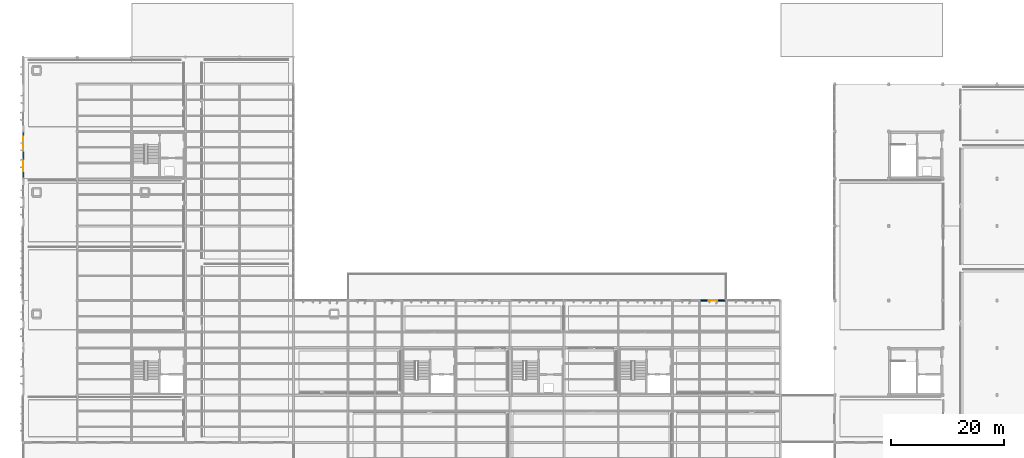
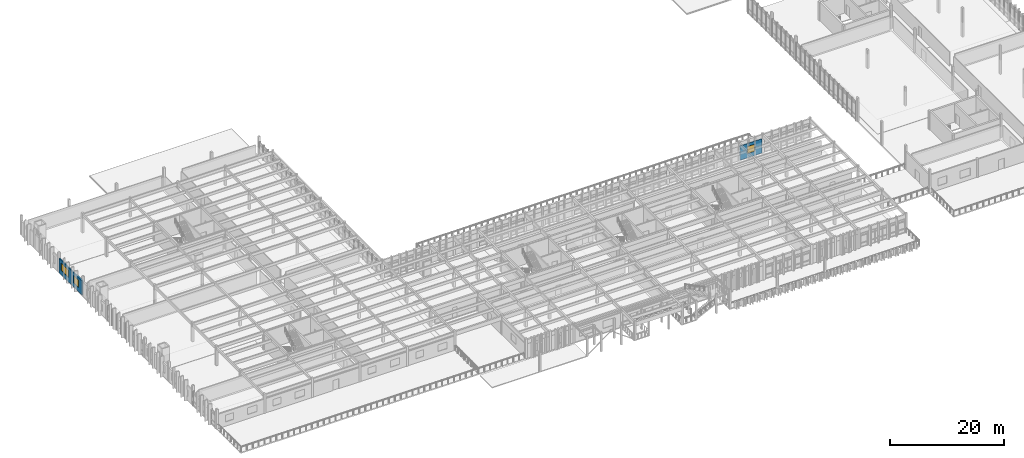
# One storey, part 44 of 61: 3 windows, 2 walls, 3 openings.
"""IFC4 building model written with IfcOpenShell, lengths in metres."""

from ifc_helpers import new_model, si_unit, direction, frame, frame_2d, origin, place, context, subcontext, project, spatial, rectangle, extrude, material, layer, layer_set, type_object, element, fill, save


model = new_model("IFC4")

# Units and contexts
model_context = context("Model", 3, precision=1e-05, world=origin(), true_north=direction((0.0, 1.0)))
body_context = subcontext(model_context, "Body", "Model", "MODEL_VIEW")
ifc_project = project(units=[si_unit("LENGTHUNIT", "METRE"), si_unit("AREAUNIT", "SQUARE_METRE"), si_unit("VOLUMEUNIT", "CUBIC_METRE"), si_unit("PLANEANGLEUNIT", "RADIAN"), si_unit("MASSUNIT", "GRAM", prefix="KILO")], contexts=[model_context])

# Site, building, storey
site_placement = place(None, origin())
site = spatial("IfcSite", under=ifc_project, at=site_placement, CompositionType="ELEMENT")
building_placement = place(site_placement, origin())
building = spatial("IfcBuilding", under=site, at=building_placement, Name="Kolvemor Railside Polytechnic", CompositionType="ELEMENT")
storey_placement = place(building_placement, frame((0.0, 0.0, 10.199951171875)))
storey = spatial("IfcBuildingStorey", under=building, at=storey_placement, Name="L02", CompositionType="ELEMENT", Elevation=10.199951171875)

# Wall, opening, window
ifc_material_1 = material(Name="Cross-laminated timber CLT E1", Category="wood")
ifc_layer_1 = layer(ifc_material_1, 0.2099609375, Name="WL-EXT-TM-210")
ifc_layer_set_1 = layer_set([ifc_layer_1], Name="Cross-laminated timber CLT E1")
wall_type_1 = type_object("IfcWallType", Name="WL-EXT-TM-210", PredefinedType="SOLIDWALL", material=ifc_layer_set_1)
wall_1_placement = place(storey_placement, frame((124.60009765625, 38.39990234375, 0.0), z_axis=(0.0, 0.0, 1.0), x_axis=(-1.0, 0.0, 0.0)))
wall_1 = element("IfcWall", 1, at=wall_1_placement, inside=storey, type_object=wall_type_1, Name="Exterior Wall L02-0152", PredefinedType="SOLIDWALL", context=body_context, shape_type="SweptSolid", body=[
    extrude(rectangle(XDim=4.400146484375, YDim=0.2099609375, at=frame_2d((2.2001953125, 0.0))), origin(), (0.0, 0.0, 1.0), 3.050048828125),
])
opening_1_placement = place(wall_1_placement, frame((1.449951171875, 0.0, 0.89990234375)))
opening_1 = element("IfcOpeningElement", 2, at=opening_1_placement, cuts=wall_1, Name="Opening WN-LAB4", PredefinedType="OPENING", context=body_context, shape_type="SweptSolid", body=[
    extrude(rectangle(XDim=1.5, YDim=1.5, at=frame_2d((0.75, 0.75))), frame((0.0, 0.114990234375, 0.0), z_axis=(0.0, -1.0, 0.0), x_axis=(1.0, 0.0, 0.0)), (0.0, 0.0, 1.0), 0.22998046875),
])
ifc_material_2 = material(Name="Hurricane-laminated thermally broken aluminium window", Category="aluminium")
window_type_1 = type_object("IfcWindowType", Name="WN-LAB-150x150", PartitioningType="SINGLE_PANEL", PredefinedType="WINDOW", material=ifc_material_2)
window_1_placement = place(opening_1_placement, origin())
window_1 = element("IfcWindow", 3, at=window_1_placement, inside=storey, type_object=window_type_1, Name="Window L02-0164", OverallHeight=1.5, OverallWidth=1.5, PartitioningType="SINGLE_PANEL", PredefinedType="WINDOW", context=body_context, shape_type="SweptSolid", body=[
    extrude(rectangle(XDim=1.5, YDim=1.5, at=frame_2d((0.75, 0.75))), frame((0.0, 0.030029296875, 0.0), z_axis=(0.0, -1.0, 0.0), x_axis=(1.0, 0.0, 0.0)), (0.0, 0.0, 1.0), 0.06005859375),
])
fill(opening_1, window_1)

# Wall, openings, windows
ifc_material_3 = material(Name="Cross-laminated timber CLT E1", Category="wood")
ifc_layer_2 = layer(ifc_material_3, 0.2548828125, Name="WL-EXT-TM-255")
ifc_layer_set_2 = layer_set([ifc_layer_2], Name="Cross-laminated timber CLT E1")
wall_type_2 = type_object("IfcWallType", Name="WL-EXT-TM-255", PredefinedType="SOLIDWALL", material=ifc_layer_set_2)
wall_2_placement = place(storey_placement, frame((0.0, 68.199951171875, 0.0), z_axis=(0.0, 0.0, 1.0), x_axis=(0.0, -1.0, 0.0)))
wall_2 = element("IfcWall", 4, at=wall_2_placement, inside=storey, type_object=wall_type_2, Name="Exterior Wall L02-0069", PredefinedType="SOLIDWALL", context=body_context, shape_type="SweptSolid", body=[
    extrude(rectangle(XDim=8.0, YDim=0.2548828125, at=frame_2d((4.0, 0.0))), origin(), (0.0, 0.0, 1.0), 3.050048828125),
])
opening_2_placement = place(wall_2_placement, frame((0.75, 0.0, 0.89990234375)))
opening_2 = element("IfcOpeningElement", 5, at=opening_2_placement, cuts=wall_2, Name="Opening WN-M22", PredefinedType="OPENING", context=body_context, shape_type="SweptSolid", body=[
    extrude(rectangle(XDim=2.5, YDim=1.64990234375, at=frame_2d((1.25, 0.824951171875))), frame((0.0, 0.137451171875, 0.0), z_axis=(0.0, -1.0, 0.0), x_axis=(1.0, 0.0, 0.0)), (0.0, 0.0, 1.0), 0.27490234375),
])
opening_3_placement = place(wall_2_placement, frame((5.125, 0.0, 0.89990234375)))
opening_3 = element("IfcOpeningElement", 6, at=opening_3_placement, cuts=wall_2, Name="Opening WN-M05", PredefinedType="OPENING", context=body_context, shape_type="SweptSolid", body=[
    extrude(rectangle(XDim=1.75, YDim=1.550048828125, at=frame_2d((0.875, 0.77490234375))), frame((0.0, 0.137451171875, 0.0), z_axis=(0.0, -1.0, 0.0), x_axis=(1.0, 0.0, 0.0)), (0.0, 0.0, 1.0), 0.27490234375),
])
ifc_material_4 = material(Name="Hurricane-laminated thermally broken aluminium window", Category="aluminium")
window_type_2 = type_object("IfcWindowType", Name="WN-MOD-175x155", PartitioningType="SINGLE_PANEL", PredefinedType="WINDOW", material=ifc_material_4)
window_2_placement = place(opening_3_placement, origin())
window_2 = element("IfcWindow", 7, at=window_2_placement, inside=storey, type_object=window_type_2, Name="Window L02-0071", OverallHeight=1.550048828125, OverallWidth=1.75, PartitioningType="SINGLE_PANEL", PredefinedType="WINDOW", context=body_context, shape_type="SweptSolid", body=[
    extrude(rectangle(XDim=1.75, YDim=1.550048828125, at=frame_2d((0.875, 0.77490234375))), frame((0.0, 0.030029296875, 0.0), z_axis=(0.0, -1.0, 0.0), x_axis=(1.0, 0.0, 0.0)), (0.0, 0.0, 1.0), 0.06005859375),
])
fill(opening_3, window_2)
ifc_material_5 = material(Name="Hurricane-laminated thermally broken aluminium window", Category="aluminium")
window_type_3 = type_object("IfcWindowType", Name="WN-MOD-250x165", PartitioningType="DOUBLE_PANEL_VERTICAL", PredefinedType="WINDOW", material=ifc_material_5)
window_3_placement = place(opening_2_placement, origin())
window_3 = element("IfcWindow", 8, at=window_3_placement, inside=storey, type_object=window_type_3, Name="Window L02-0070", OverallHeight=1.64990234375, OverallWidth=2.5, PartitioningType="SINGLE_PANEL", PredefinedType="WINDOW", context=body_context, shape_type="SweptSolid", body=[
    extrude(rectangle(XDim=2.5, YDim=1.64990234375, at=frame_2d((1.25, 0.824951171875))), frame((0.0, 0.030029296875, 0.0), z_axis=(0.0, -1.0, 0.0), x_axis=(1.0, 0.0, 0.0)), (0.0, 0.0, 1.0), 0.06005859375),
])
fill(opening_2, window_3)

save(model, "model.ifc")
